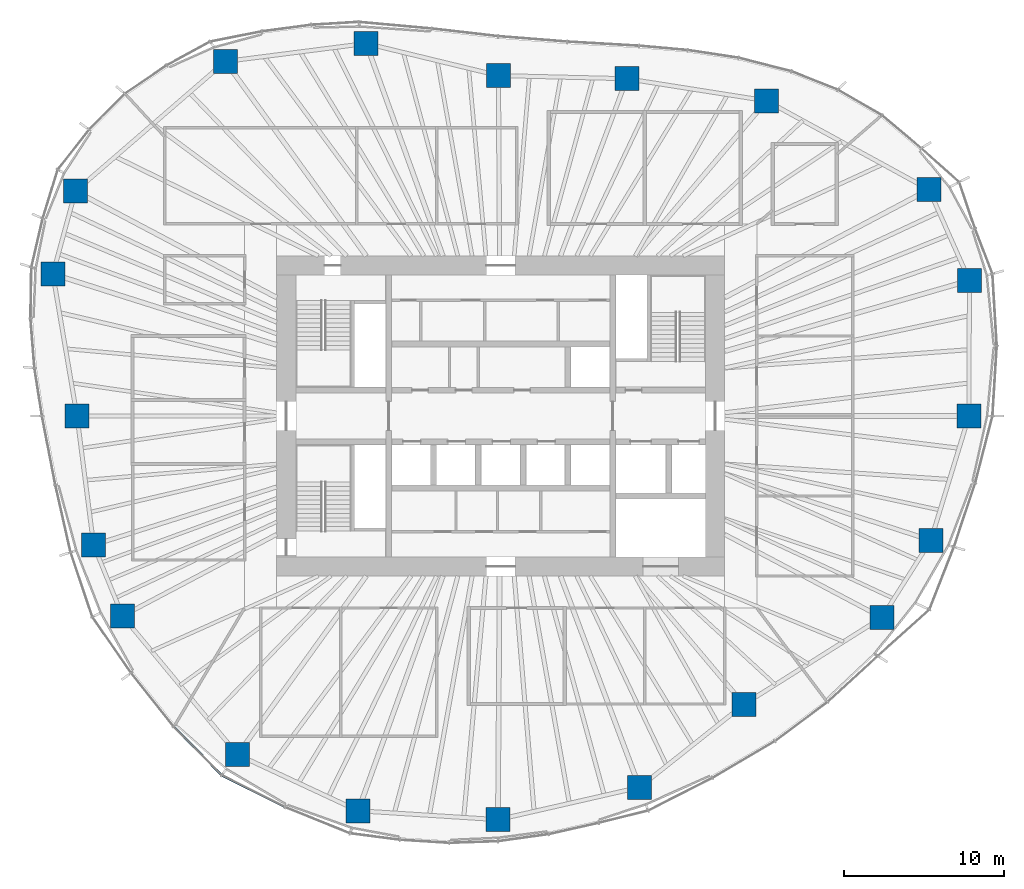
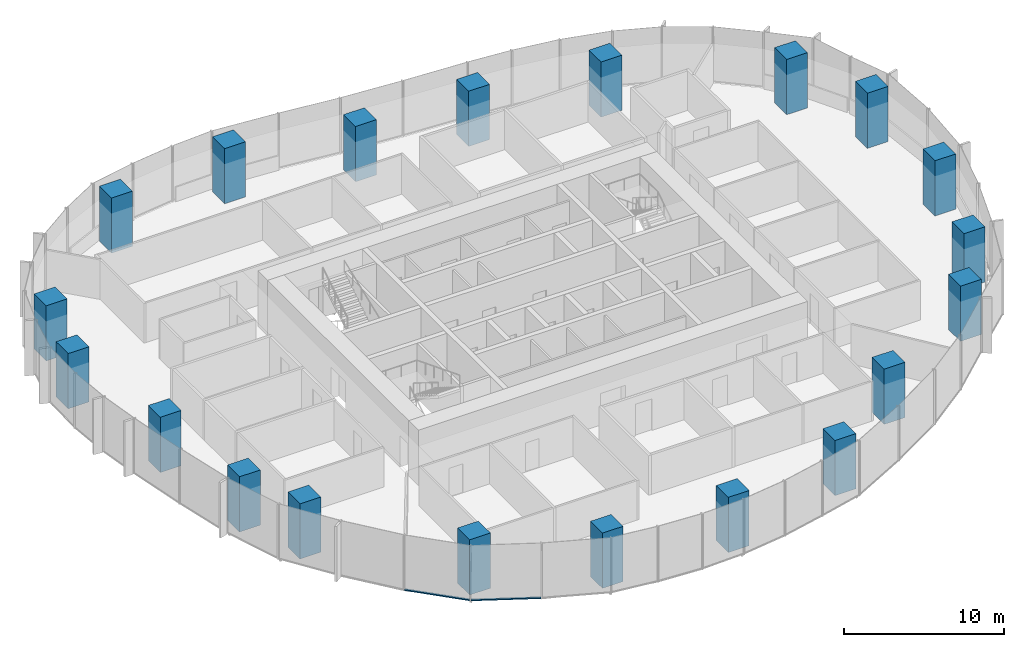
# One storey, part 1 of 18: 20 columns, 2 members, 2 elements without a shape of their own.
"""IFC4 building model written with IfcOpenShell, lengths in metres."""

from ifc_helpers import new_model, si_unit, direction, frame, origin, origin_2d, place, context, subcontext, project, spatial, rectangle, extrude, material, material_profile, profile_set, type_object, element, aggregate, save


model = new_model("IFC4")

# Units and contexts
model_context = context("Model", 3, precision=1e-05, world=origin(), true_north=direction((0.0, 1.0)))
body_context = subcontext(model_context, "Body", "Model", "MODEL_VIEW")
ifc_project = project(units=[si_unit("LENGTHUNIT", "METRE"), si_unit("AREAUNIT", "SQUARE_METRE"), si_unit("VOLUMEUNIT", "CUBIC_METRE"), si_unit("PLANEANGLEUNIT", "RADIAN"), si_unit("MASSUNIT", "GRAM", prefix="KILO")], contexts=[model_context])

# Site, building, storey
site_placement = place(None, origin())
site = spatial("IfcSite", under=ifc_project, at=site_placement, CompositionType="ELEMENT")
building_placement = place(site_placement, origin())
building = spatial("IfcBuilding", under=site, at=building_placement, Name="Ghaith Harvest Tower", CompositionType="ELEMENT")
storey_placement = place(building_placement, frame((0.0, 0.0, 130.199951171875)))
storey = spatial("IfcBuildingStorey", under=building, at=storey_placement, Name="L27", CompositionType="ELEMENT", Elevation=130.199951171875)

# Columns
ifc_material_1 = material(Name="Concrete C60/75", Category="concrete")
ifc_material_profile_1 = material_profile(ifc_material_1, rectangle(XDim=1.5, YDim=1.5, at=origin_2d()), Name="RC1500X1500")
ifc_profile_set_1 = profile_set([ifc_material_profile_1], Name="Concrete C60/75")
column_type = type_object("IfcColumnType", Name="TC3 RC1500X1500", PredefinedType="COLUMN", material=ifc_profile_set_1)
for number, where, z_axis, x_axis, name in (
    (1, (29.259033203125, 0.0, 0.0), (0.0, 0.0, 1.0), (1.0, 0.0, 0.0), "Perimeter column C01"),
    (2, (29.285888671875, 8.464111328125, 0.0), (0.0, 0.0, 1.0), (1.0, 0.0, 0.0), "Perimeter column C02"),
    (3, (26.763916015625, 14.14697265625, 0.0), (0.0, 0.0, 1.0), (1.0, 0.0, 0.0), "Perimeter column C03"),
    (4, (16.60791015625, 19.695068359375, 0.0), (0.0, 0.0, 1.0), (1.0, 0.0, 0.0), "Perimeter column C04"),
    (5, (7.8779296875, 21.072021484375, 0.0), (0.0, 0.0, 1.0), (1.0, 0.0, 0.0), "Perimeter column C05"),
    (6, (-0.14599609375, 21.27099609375, 0.0), (0.0, 0.0, 1.0), (1.0, 0.0, 0.0), "Perimeter column C06"),
    (7, (-8.406982421875, 23.27587890625, 0.0), (0.0, 0.0, 1.0), (1.0, 0.0, 0.0), "Perimeter column C07"),
    (8, (-17.201904296875, 22.14990234375, 0.0), (0.0, 0.0, 1.0), (1.0, 0.0, 0.0), "Perimeter column C08"),
    (9, (-26.572998046875, 14.0458984375, 0.0), (0.0, 0.0, 1.0), (1.0, 0.0, 0.0), "Perimeter column C09"),
    (10, (-27.98291015625, 8.867919921875, 0.0), (0.0, 0.0, 1.0), (1.0, 0.0, 0.0), "Perimeter column C10"),
    (11, (-26.47509765625, 0.0, 0.0), (0.0, 0.0, 1.0), (1.0, 0.0, 0.0), "Perimeter column C11"),
    (12, (-25.43603515625, -8.06103515625, 0.0), (0.0, 0.0, 1.0), (1.0, 0.0, 0.0), "Perimeter column C12"),
    (13, (-23.635009765625, -12.492919921875, 0.0), (0.0, 0.0, 1.0), (1.0, 0.0, 0.0), "Perimeter column C13"),
    (14, (-16.43701171875, -21.1640625, 0.0), (0.0, 0.0, 1.0), (1.0, 0.0, 0.0), "Perimeter column C14"),
    (15, (-8.908935546875, -24.66796875, 0.0), (0.0, 0.0, 1.0), (1.0, 0.0, 0.0), "Perimeter column C15"),
    (16, (-0.173095703125, -25.22412109375, 0.0), (0.0, 0.0, 1.0), (1.0, 0.0, 0.0), "Perimeter column C16"),
    (17, (8.674072265625, -23.202880859375, 0.0), (0.0, 0.0, 1.0), (1.0, 0.0, 0.0), "Perimeter column C17"),
    (18, (15.197998046875, -18.02294921875, 0.0), (0.0, 0.0, 1.0), (1.0, 0.0, 0.0), "Perimeter column C18"),
    (19, (23.825927734375, -12.593994140625, 0.0), (0.0, 0.0, 1.0), (1.0, 0.0, 0.0), "Perimeter column C19"),
    (20, (26.8779296875, -7.76806640625, 0.0), (0.0, 0.0, 1.0), (1.0, 0.0, 0.0), "Perimeter column C20"),
):
    element("IfcColumn", number, at=place(storey_placement, frame(where, z_axis=z_axis, x_axis=x_axis)), inside=storey, type_object=column_type, Name=name, PredefinedType="COLUMN", context=body_context, shape_type="SweptSolid", body=[
        extrude(rectangle(XDim=1.5, YDim=1.5, at=origin_2d()), origin(), (0.0, 0.0, 1.0), 4.199951171875),
    ])

# Curtain wall, member
ifc_material_2 = material(Name="Black anodised aluminium and fritted glass", Category="aluminium")
curtain_wall_type = type_object("IfcCurtainWallType", Name="CW-L CURTAIN WALL", PredefinedType="NOTDEFINED", material=ifc_material_2)
curtain_wall_1_placement = place(storey_placement, origin())
curtain_wall_1 = element("IfcCurtainWall", 21, at=curtain_wall_1_placement, inside=storey, type_object=curtain_wall_type, Name="Curtain wall CW-L bay 13 L27", PredefinedType="NOTDEFINED")
ifc_material_3 = material(Name="Aluminium, black anodised", Category="aluminium")
ifc_material_profile_2 = material_profile(ifc_material_3, rectangle(XDim=0.14990234375, YDim=0.080078125, at=origin_2d()), Name="CW-L TRANSOM 150x80")
ifc_profile_set_2 = profile_set([ifc_material_profile_2], Name="Aluminium, black anodised")
member_type = type_object("IfcMemberType", Name="CW-L TRANSOM 150x80", PredefinedType="USERDEFINED", material=ifc_profile_set_2)
member_1_placement = place(storey_placement, frame((-20.4130859375, -19.425048828125, 0.0400390625), z_axis=(0.702854410476, -0.711333731574, 0.0), x_axis=(0.711333731574, 0.702854410476, 0.0)))
member_1 = element("IfcMember", 22, at=member_1_placement, type_object=member_type, Name="CW-L transom 2 bay 13 L27", ObjectType="TRANSOM", PredefinedType="USERDEFINED", context=body_context, shape_type="SweptSolid", body=[
    extrude(rectangle(XDim=0.14990234375, YDim=0.080078125, at=origin_2d()), origin(), (0.0, 0.0, 1.0), 4.20361328125),
])
aggregate(curtain_wall_1, [member_1])

curtain_wall_2_placement = place(storey_placement, origin())
curtain_wall_2 = element("IfcCurtainWall", 23, at=curtain_wall_2_placement, inside=storey, type_object=curtain_wall_type, Name="Curtain wall CW-L bay 14 L27", PredefinedType="NOTDEFINED")
member_2_placement = place(storey_placement, frame((-17.394775390625, -22.461669921875, 0.0400390625), z_axis=(0.893057524502, -0.449942505138, 0.0), x_axis=(0.449942505138, 0.893057524502, 0.0)))
member_2 = element("IfcMember", 24, at=member_2_placement, type_object=member_type, Name="CW-L transom 1 bay 14 L27", ObjectType="TRANSOM", PredefinedType="USERDEFINED", context=body_context, shape_type="SweptSolid", body=[
    extrude(rectangle(XDim=0.14990234375, YDim=0.080078125, at=origin_2d()), origin(), (0.0, 0.0, 1.0), 4.362548828125),
])
aggregate(curtain_wall_2, [member_2])

save(model, "model.ifc")
